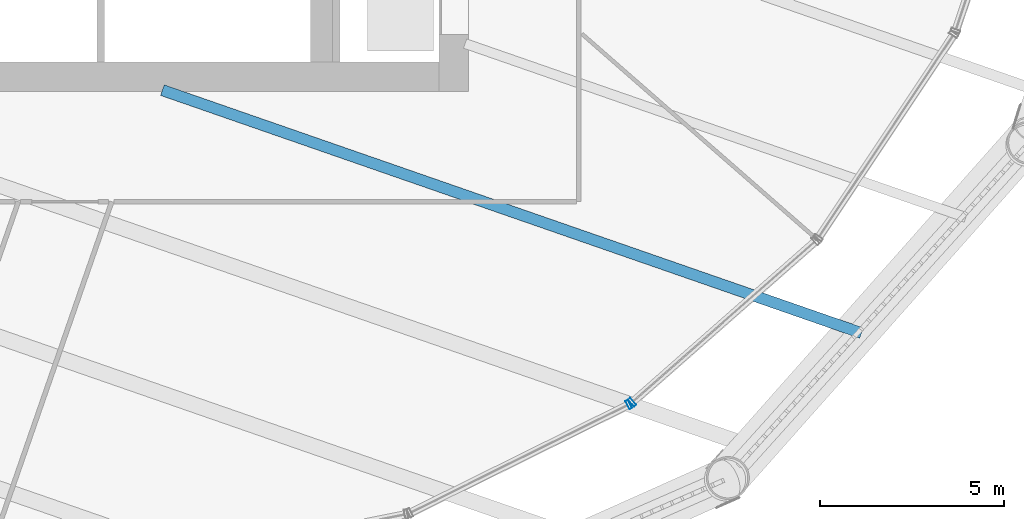
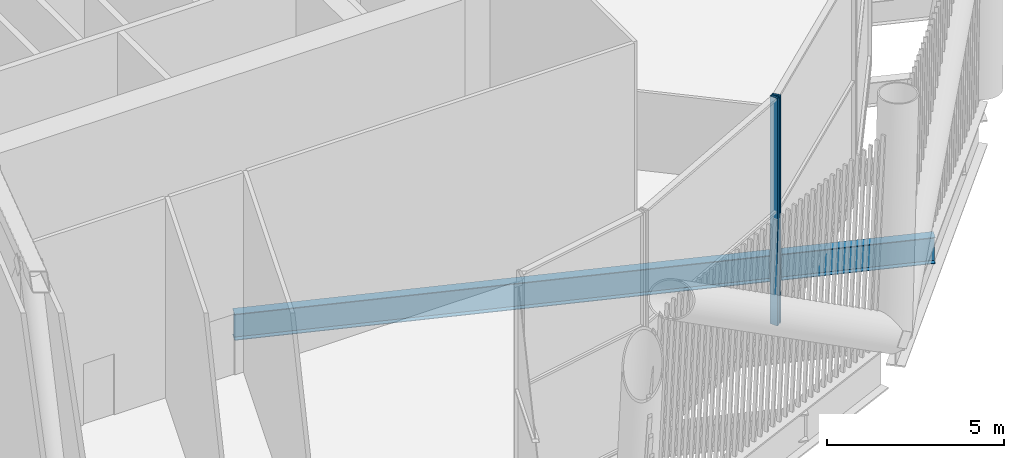
# One storey, part 17 of 63: 2 members, 1 beam, 2 elements without a shape of their own.
"""IFC4 building model written with IfcOpenShell, lengths in metres."""

from ifc_helpers import new_model, si_unit, direction, frame, origin, origin_2d, place, context, subcontext, project, spatial, hollow_rectangle, i_section, extrude, material, layer, layer_set, material_profile, profile_set, type_object, element, aggregate, save


model = new_model("IFC4")

# Units and contexts
model_context = context("Model", 3, precision=1e-05, world=origin(), true_north=direction((0.0, 1.0)))
body_context = subcontext(model_context, "Body", "Model", "MODEL_VIEW")
ifc_project = project(units=[si_unit("LENGTHUNIT", "METRE"), si_unit("AREAUNIT", "SQUARE_METRE"), si_unit("VOLUMEUNIT", "CUBIC_METRE"), si_unit("PLANEANGLEUNIT", "RADIAN"), si_unit("MASSUNIT", "GRAM", prefix="KILO")], contexts=[model_context])

# Site, building, storey
site_placement = place(None, origin())
site = spatial("IfcSite", under=ifc_project, at=site_placement, CompositionType="ELEMENT")
building_placement = place(site_placement, origin())
building = spatial("IfcBuilding", under=site, at=building_placement, Name="Tarsis Ring Headquarters", CompositionType="ELEMENT")
storey_placement = place(building_placement, frame((0.0, 0.0, 139.60009765625)))
storey = spatial("IfcBuildingStorey", under=building, at=storey_placement, Name="L32", CompositionType="ELEMENT", Elevation=139.60009765625)

# Curtain wall, member
ifc_material_1 = material(Name="Aluminium curtain wall", Category="aluminium")
ifc_layer = layer(ifc_material_1, 0.25)
ifc_layer_set = layer_set([ifc_layer], Name="Curtain wall sky lobby")
curtain_wall_type = type_object("IfcCurtainWallType", Name="Curtain wall sky lobby", PredefinedType="NOTDEFINED", material=ifc_layer_set)
curtain_wall_1_placement = place(storey_placement, origin())
curtain_wall_1 = element("IfcCurtainWall", 1, at=curtain_wall_1_placement, inside=storey, type_object=curtain_wall_type, Name="Curtain wall L32-18", PredefinedType="NOTDEFINED")
ifc_material_2 = material(Name="Aluminium mullion", Category="aluminium")
ifc_material_profile_1 = material_profile(ifc_material_2, hollow_rectangle(XDim=0.25, YDim=0.080078125, WallThickness=0.0048828125, at=origin_2d()), Name="RHS 250x80x5")
ifc_profile_set_1 = profile_set([ifc_material_profile_1], Name="Aluminium mullion")
member_type = type_object("IfcMemberType", Name="Curtain wall mullion sky lobby RHS 250x80x5", PredefinedType="MULLION", material=ifc_profile_set_1)
member_1_placement = place(storey_placement, frame((14.35791015625, -21.515869140625, 0.0), z_axis=(0.0, 0.0, 1.0), x_axis=(-0.443696960471, 0.896176883918, 0.0)))
member_1 = element("IfcMember", 2, at=member_1_placement, type_object=member_type, Name="CW-S mullion 2", PredefinedType="MULLION", context=body_context, shape_type="SweptSolid", body=[
    extrude(hollow_rectangle(XDim=0.25, YDim=0.080078125, WallThickness=0.0048828125, at=origin_2d()), origin(), (0.0, 0.0, 1.0), 7.83984375),
])
aggregate(curtain_wall_1, [member_1])

curtain_wall_2_placement = place(storey_placement, origin())
curtain_wall_2 = element("IfcCurtainWall", 3, at=curtain_wall_2_placement, inside=storey, type_object=curtain_wall_type, Name="Curtain wall L32-19", PredefinedType="NOTDEFINED")
member_2_placement = place(storey_placement, frame((14.450927734375, -21.453369140625, 0.0), z_axis=(0.0, 0.0, 1.0), x_axis=(-0.660526016469, 0.75080315767, 0.0)))
member_2 = element("IfcMember", 4, at=member_2_placement, type_object=member_type, Name="CW-S mullion 1", PredefinedType="MULLION", context=body_context, shape_type="SweptSolid", body=[
    extrude(hollow_rectangle(XDim=0.25, YDim=0.080078125, WallThickness=0.0048828125, at=origin_2d()), origin(), (0.0, 0.0, 1.0), 7.83984375),
])
aggregate(curtain_wall_2, [member_2])

# Beam
ifc_material_3 = material(Name="Structural steel S355", Category="steel")
ifc_material_profile_2 = material_profile(ifc_material_3, i_section(OverallWidth=0.3046875, OverallDepth=0.904296875, WebThickness=0.01513671875, FlangeThickness=0.02001953125, at=origin_2d()), Name="W36x135")
ifc_profile_set_2 = profile_set([ifc_material_profile_2], Name="Structural steel S355")
beam_type = type_object("IfcBeamType", Name="FB Floor beam W36x135", PredefinedType="JOIST", material=ifc_profile_set_2)
beam_placement = place(storey_placement, frame((1.67236328125, -12.96728515625, -0.752197265625), z_axis=(0.944607831266, -0.328201226554, 0.0), x_axis=(0.328201226554, 0.944607831266, 0.0)))
element("IfcBeam", 5, at=beam_placement, inside=storey, type_object=beam_type, Name="Floor beam FB8", PredefinedType="JOIST", context=body_context, shape_type="SweptSolid", body=[
    extrude(i_section(OverallWidth=0.3046875, OverallDepth=0.904296875, WebThickness=0.01513671875, FlangeThickness=0.02001953125, at=origin_2d()), origin(), (0.0, 0.0, 1.0), 20.131591796875),
])

save(model, "model.ifc")
